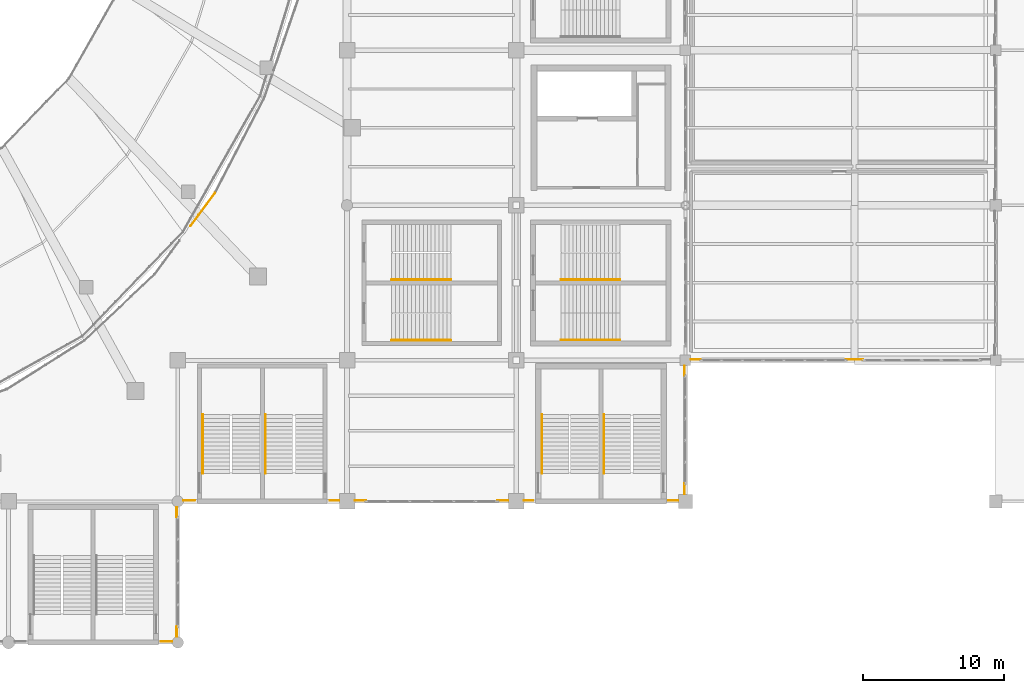
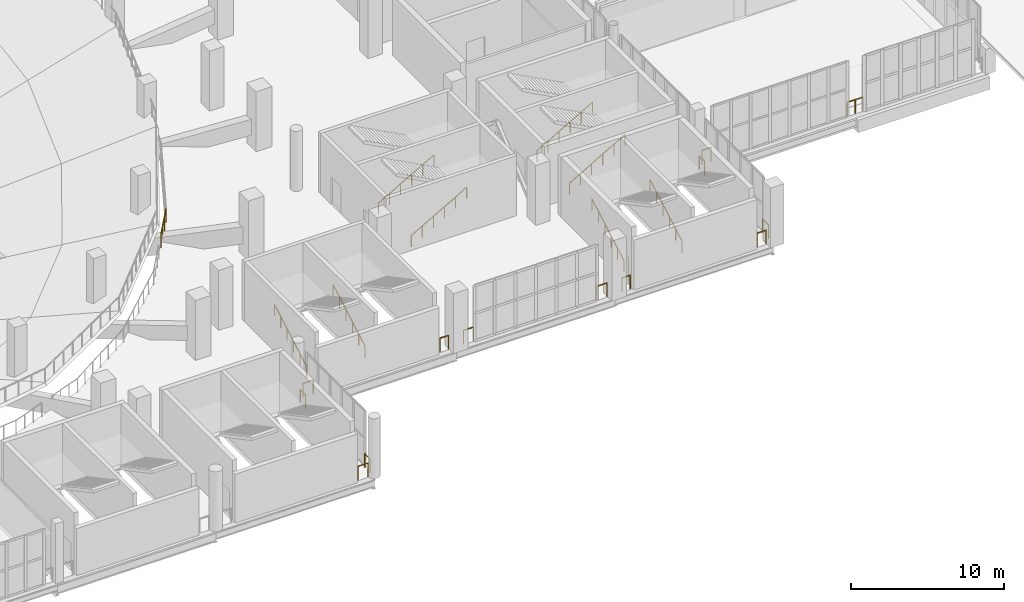
# One storey, part 131 of 136: 22 railings.
"""IFC4 building model written with IfcOpenShell, lengths in metres."""

from ifc_helpers import new_model, si_unit, direction, frame, origin, origin_2d, place, context, subcontext, project, spatial, circle, extrude, material, type_object, element, save


model = new_model("IFC4")

# Units and contexts
model_context = context("Model", 3, precision=1e-05, world=origin(), true_north=direction((0.0, 1.0)))
body_context = subcontext(model_context, "Body", "Model", "MODEL_VIEW")
ifc_project = project(units=[si_unit("LENGTHUNIT", "METRE"), si_unit("AREAUNIT", "SQUARE_METRE"), si_unit("VOLUMEUNIT", "CUBIC_METRE"), si_unit("PLANEANGLEUNIT", "RADIAN"), si_unit("MASSUNIT", "GRAM", prefix="KILO")], contexts=[model_context])

# Site, building, storey
site_placement = place(None, origin())
site = spatial("IfcSite", under=ifc_project, at=site_placement, CompositionType="ELEMENT")
building_placement = place(site_placement, origin())
building = spatial("IfcBuilding", under=site, at=building_placement, Name="Brinegate Civic Arena", CompositionType="ELEMENT")
storey_placement = place(building_placement, frame((0.0, 0.0, 5.39990234375)))
storey = spatial("IfcBuildingStorey", under=building, at=storey_placement, Name="L01", CompositionType="ELEMENT", Elevation=5.39990234375)

# Railings
ifc_material = material(Name="Architectural stainless steel balustrade", Category="steel")
railing_type_1 = type_object("IfcRailingType", Name="RAIL-STAIR-HANDRAIL-900", PredefinedType="HANDRAIL", material=ifc_material)
for number, where, name in (
    (1, (157.824951171875, 11.969970703125, 0.0), "Stair Pitch Handrail ST-06A L01"),
    (2, (162.22509765625, 11.969970703125, 0.0), "Stair Pitch Handrail ST-06B L01"),
    (3, (133.77490234375, 11.969970703125, 0.0), "Stair Pitch Handrail ST-14A L01"),
    (4, (138.22509765625, 11.969970703125, 0.0), "Stair Pitch Handrail ST-14B L01"),
):
    element("IfcRailing", number, at=place(storey_placement, frame(where)), inside=storey, type_object=railing_type_1, Name=name, PredefinedType="HANDRAIL", context=body_context, shape_type="SweptSolid", body=[
        extrude(circle(Radius=0.02392578125, at=origin_2d()), frame((0.0, 0.001220703125, 0.876708984375), z_axis=(0.0, 0.868227612608, 0.496166114024), x_axis=(-1.0, 0.0, 0.0)), (0.0, 0.0, 1.0), 4.83447265625),
        extrude(circle(Radius=0.02099609375, at=origin_2d()), origin(), (0.0, 0.0, 1.0), 0.849853515625),
        extrude(circle(Radius=0.02099609375, at=origin_2d()), frame((0.0, 0.840087890625, 0.47998046875)), (0.0, 0.0, 1.0), 0.849853515625),
        extrude(circle(Radius=0.02099609375, at=origin_2d()), frame((0.0, 1.679931640625, 0.9599609375)), (0.0, 0.0, 1.0), 0.849853515625),
        extrude(circle(Radius=0.02099609375, at=origin_2d()), frame((0.0, 2.52001953125, 1.440185546875)), (0.0, 0.0, 1.0), 0.849853515625),
        extrude(circle(Radius=0.02099609375, at=origin_2d()), frame((0.0, 3.35986328125, 1.920166015625)), (0.0, 0.0, 1.0), 0.849853515625),
        extrude(circle(Radius=0.02099609375, at=origin_2d()), frame((0.0, 4.199951171875, 2.400146484375)), (0.0, 0.0, 1.0), 0.849853515625),
    ])
for number, where, name in (
    (5, (147.169921875, 21.425048828125, 0.0), "Stair Pitch Handrail ST-17A L01"),
    (6, (147.169921875, 25.72509765625, 0.0), "Stair Pitch Handrail ST-17B L01"),
    (7, (159.169921875, 21.455078125, 0.0), "Stair Pitch Handrail ST-19A L01"),
    (8, (159.169921875, 25.72509765625, 0.0), "Stair Pitch Handrail ST-19B L01"),
):
    element("IfcRailing", number, at=place(storey_placement, frame(where)), inside=storey, type_object=railing_type_1, Name=name, PredefinedType="HANDRAIL", context=body_context, shape_type="SweptSolid", body=[
        extrude(circle(Radius=0.02392578125, at=origin_2d()), frame((0.001220703125, 0.0, 0.876708984375), z_axis=(0.868240036425, 0.0, 0.496144373291), x_axis=(0.0, 1.0, 0.0)), (0.0, 0.0, 1.0), 4.834716796875),
        extrude(circle(Radius=0.02099609375, at=origin_2d()), origin(), (0.0, 0.0, 1.0), 0.849853515625),
        extrude(circle(Radius=0.02099609375, at=origin_2d()), frame((0.840087890625, 0.0, 0.47998046875)), (0.0, 0.0, 1.0), 0.849853515625),
        extrude(circle(Radius=0.02099609375, at=origin_2d()), frame((1.68017578125, 0.0, 0.9599609375)), (0.0, 0.0, 1.0), 0.849853515625),
        extrude(circle(Radius=0.02099609375, at=origin_2d()), frame((2.52001953125, 0.0, 1.440185546875)), (0.0, 0.0, 1.0), 0.849853515625),
        extrude(circle(Radius=0.02099609375, at=origin_2d()), frame((3.360107421875, 0.0, 1.920166015625)), (0.0, 0.0, 1.0), 0.849853515625),
        extrude(circle(Radius=0.02099609375, at=origin_2d()), frame((4.2001953125, 0.0, 2.400146484375)), (0.0, 0.0, 1.0), 0.849853515625),
    ])
railing_type_2 = type_object("IfcRailingType", Name="RAIL-VOID-BALUSTRADE-1120", PredefinedType="BALUSTRADE", material=ifc_material)
railing_1_placement = place(storey_placement, frame((180.60009765625, 20.070068359375, 0.0)))
element("IfcRailing", 9, at=railing_1_placement, inside=storey, type_object=railing_type_2, Name="Deck Edge Balustrade L01-058", PredefinedType="BALUSTRADE", context=body_context, shape_type="SweptSolid", body=[
    extrude(circle(Radius=0.02392578125, at=origin_2d()), frame((-0.00146484375, 0.0, 1.09619140625), z_axis=(-1.0, 0.0, 0.0), x_axis=(0.0, -1.0, 0.0)), (0.0, 0.0, 1.0), 1.197265625),
    extrude(circle(Radius=0.02099609375, at=origin_2d()), origin(), (0.0, 0.0, 1.0), 1.070068359375),
    extrude(circle(Radius=0.02099609375, at=origin_2d()), frame((-0.60009765625, 0.0, 0.0)), (0.0, 0.0, 1.0), 1.070068359375),
    extrude(circle(Radius=0.02099609375, at=origin_2d()), frame((-1.2001953125, 0.0, 0.0)), (0.0, 0.0, 1.0), 1.070068359375),
])
railing_2_placement = place(storey_placement, frame((169.080078125, 20.070068359375, 0.0)))
element("IfcRailing", 10, at=railing_2_placement, inside=storey, type_object=railing_type_2, Name="Deck Edge Balustrade L01-059", PredefinedType="BALUSTRADE", context=body_context, shape_type="SweptSolid", body=[
    extrude(circle(Radius=0.02392578125, at=origin_2d()), frame((-0.00146484375, 0.0, 1.09619140625), z_axis=(-1.0, 0.0, 0.0), x_axis=(0.0, -1.0, 0.0)), (0.0, 0.0, 1.0), 0.68212890625),
    extrude(circle(Radius=0.02099609375, at=origin_2d()), origin(), (0.0, 0.0, 1.0), 1.070068359375),
    extrude(circle(Radius=0.02099609375, at=origin_2d()), frame((-0.68505859375, 0.0, 0.0)), (0.0, 0.0, 1.0), 1.070068359375),
])
railing_3_placement = place(storey_placement, frame((167.929931640625, 19.60498046875, 0.0)))
element("IfcRailing", 11, at=railing_3_placement, inside=storey, type_object=railing_type_2, Name="Deck Edge Balustrade L01-060", PredefinedType="BALUSTRADE", context=body_context, shape_type="SweptSolid", body=[
    extrude(circle(Radius=0.02392578125, at=origin_2d()), frame((0.0, -0.00146484375, 1.09619140625), z_axis=(0.0, -1.0, 0.0), x_axis=(1.0, 0.0, 0.0)), (0.0, 0.0, 1.0), 0.68212890625),
    extrude(circle(Radius=0.02099609375, at=origin_2d()), origin(), (0.0, 0.0, 1.0), 1.070068359375),
    extrude(circle(Radius=0.02099609375, at=origin_2d()), frame((0.0, -0.68505859375, 0.0)), (0.0, 0.0, 1.0), 1.070068359375),
])
railing_4_placement = place(storey_placement, frame((167.929931640625, 11.257080078125, 0.0)))
element("IfcRailing", 12, at=railing_4_placement, inside=storey, type_object=railing_type_2, Name="Deck Edge Balustrade L01-061", PredefinedType="BALUSTRADE", context=body_context, shape_type="SweptSolid", body=[
    extrude(circle(Radius=0.02392578125, at=origin_2d()), frame((0.0, -0.00146484375, 1.09619140625), z_axis=(0.0, -1.0, 0.0), x_axis=(1.0, 0.0, 0.0)), (0.0, 0.0, 1.0), 0.734130859375),
    extrude(circle(Radius=0.02099609375, at=origin_2d()), origin(), (0.0, 0.0, 1.0), 1.070068359375),
    extrude(circle(Radius=0.02099609375, at=origin_2d()), frame((0.0, -0.737060546875, 0.0)), (0.0, 0.0, 1.0), 1.070068359375),
])
railing_5_placement = place(storey_placement, frame((167.47998046875, 10.070068359375, 0.0)))
element("IfcRailing", 13, at=railing_5_placement, inside=storey, type_object=railing_type_2, Name="Deck Edge Balustrade L01-062", PredefinedType="BALUSTRADE", context=body_context, shape_type="SweptSolid", body=[
    extrude(circle(Radius=0.02392578125, at=origin_2d()), frame((-0.00146484375, 0.0, 1.09619140625), z_axis=(-1.0, 0.0, 0.0), x_axis=(0.0, -1.0, 0.0)), (0.0, 0.0, 1.0), 0.677001953125),
    extrude(circle(Radius=0.02099609375, at=origin_2d()), origin(), (0.0, 0.0, 1.0), 1.070068359375),
    extrude(circle(Radius=0.02099609375, at=origin_2d()), frame((-0.679931640625, 0.0, 0.0)), (0.0, 0.0, 1.0), 1.070068359375),
])
railing_6_placement = place(storey_placement, frame((157.199951171875, 10.070068359375, 0.0)))
element("IfcRailing", 14, at=railing_6_placement, inside=storey, type_object=railing_type_2, Name="Deck Edge Balustrade L01-063", PredefinedType="BALUSTRADE", context=body_context, shape_type="SweptSolid", body=[
    extrude(circle(Radius=0.02392578125, at=origin_2d()), frame((-0.00146484375, 0.0, 1.09619140625), z_axis=(-1.0, 0.0, 0.0), x_axis=(0.0, -1.0, 0.0)), (0.0, 0.0, 1.0), 0.626953125),
    extrude(circle(Radius=0.02099609375, at=origin_2d()), origin(), (0.0, 0.0, 1.0), 1.070068359375),
    extrude(circle(Radius=0.02099609375, at=origin_2d()), frame((-0.6298828125, 0.0, 0.0)), (0.0, 0.0, 1.0), 1.070068359375),
])
for number, where, name in (
    (15, (155.429931640625, 10.070068359375, 0.0), "Deck Edge Balustrade L01-064"),
    (16, (145.327880859375, 10.070068359375, 0.0), "Deck Edge Balustrade L01-065"),
):
    element("IfcRailing", number, at=place(storey_placement, frame(where)), inside=storey, type_object=railing_type_2, Name=name, PredefinedType="BALUSTRADE", context=body_context, shape_type="SweptSolid", body=[
        extrude(circle(Radius=0.02392578125, at=origin_2d()), frame((-0.00146484375, 0.0, 1.09619140625), z_axis=(-1.0, 0.0, 0.0), x_axis=(0.0, -1.0, 0.0)), (0.0, 0.0, 1.0), 0.7548828125),
        extrude(circle(Radius=0.02099609375, at=origin_2d()), origin(), (0.0, 0.0, 1.0), 1.070068359375),
        extrude(circle(Radius=0.02099609375, at=origin_2d()), frame((-0.7578125, 0.0, 0.0)), (0.0, 0.0, 1.0), 1.070068359375),
    ])
railing_7_placement = place(storey_placement, frame((143.429931640625, 10.070068359375, 0.0)))
element("IfcRailing", 17, at=railing_7_placement, inside=storey, type_object=railing_type_2, Name="Deck Edge Balustrade L01-066", PredefinedType="BALUSTRADE", context=body_context, shape_type="SweptSolid", body=[
    extrude(circle(Radius=0.02392578125, at=origin_2d()), frame((-0.00146484375, 0.0, 1.09619140625), z_axis=(-1.0, 0.0, 0.0), x_axis=(0.0, -1.0, 0.0)), (0.0, 0.0, 1.0), 0.626953125),
    extrude(circle(Radius=0.02099609375, at=origin_2d()), origin(), (0.0, 0.0, 1.0), 1.070068359375),
    extrude(circle(Radius=0.02099609375, at=origin_2d()), frame((-0.6298828125, 0.0, 0.0)), (0.0, 0.0, 1.0), 1.070068359375),
])
railing_8_placement = place(storey_placement, frame((133.199951171875, 10.070068359375, 0.0)))
element("IfcRailing", 18, at=railing_8_placement, inside=storey, type_object=railing_type_2, Name="Deck Edge Balustrade L01-067", PredefinedType="BALUSTRADE", context=body_context, shape_type="SweptSolid", body=[
    extrude(circle(Radius=0.02392578125, at=origin_2d()), frame((-0.00146484375, 0.0, 1.09619140625), z_axis=(-1.0, 0.0, 0.0), x_axis=(0.0, -1.0, 0.0)), (0.0, 0.0, 1.0), 0.777099609375),
    extrude(circle(Radius=0.02099609375, at=origin_2d()), origin(), (0.0, 0.0, 1.0), 1.070068359375),
    extrude(circle(Radius=0.02099609375, at=origin_2d()), frame((-0.780029296875, 0.0, 0.0)), (0.0, 0.0, 1.0), 1.070068359375),
])
for number, where, name in (
    (19, (131.929931640625, 9.580078125, 0.0), "Deck Edge Balustrade L01-068"),
    (20, (131.929931640625, 1.115966796875, 0.0), "Deck Edge Balustrade L01-069"),
):
    element("IfcRailing", number, at=place(storey_placement, frame(where)), inside=storey, type_object=railing_type_2, Name=name, PredefinedType="BALUSTRADE", context=body_context, shape_type="SweptSolid", body=[
        extrude(circle(Radius=0.02392578125, at=origin_2d()), frame((0.0, -0.00146484375, 1.09619140625), z_axis=(0.0, -1.0, 0.0), x_axis=(1.0, 0.0, 0.0)), (0.0, 0.0, 1.0), 0.693115234375),
        extrude(circle(Radius=0.02099609375, at=origin_2d()), origin(), (0.0, 0.0, 1.0), 1.070068359375),
        extrude(circle(Radius=0.02099609375, at=origin_2d()), frame((0.0, -0.696044921875, 0.0)), (0.0, 0.0, 1.0), 1.070068359375),
    ])
railing_9_placement = place(storey_placement, frame((131.580078125, 0.070068359375, 0.0)))
element("IfcRailing", 21, at=railing_9_placement, inside=storey, type_object=railing_type_2, Name="Deck Edge Balustrade L01-070", PredefinedType="BALUSTRADE", context=body_context, shape_type="SweptSolid", body=[
    extrude(circle(Radius=0.02392578125, at=origin_2d()), frame((-0.00146484375, 0.0, 1.09619140625), z_axis=(-1.0, 0.0, 0.0), x_axis=(0.0, -1.0, 0.0)), (0.0, 0.0, 1.0), 0.777099609375),
    extrude(circle(Radius=0.02099609375, at=origin_2d()), origin(), (0.0, 0.0, 1.0), 1.070068359375),
    extrude(circle(Radius=0.02099609375, at=origin_2d()), frame((-0.780029296875, 0.0, 0.0)), (0.0, 0.0, 1.0), 1.070068359375),
])
railing_10_placement = place(storey_placement, frame((132.906982421875, 29.5400390625, 0.0)))
element("IfcRailing", 22, at=railing_10_placement, inside=storey, type_object=railing_type_2, Name="Deck Edge Balustrade L01-108", PredefinedType="BALUSTRADE", context=body_context, shape_type="SweptSolid", body=[
    extrude(circle(Radius=0.02392578125, at=origin_2d()), frame((0.0009765625, 0.001220703125, 1.09619140625), z_axis=(0.595368116229, 0.803453051633, 0.0), x_axis=(-0.803453051633, 0.595368116229, 0.0)), (0.0, 0.0, 1.0), 2.904296875),
    extrude(circle(Radius=0.02099609375, at=origin_2d()), origin(), (0.0, 0.0, 1.0), 1.070068359375),
    extrude(circle(Radius=0.02099609375, at=origin_2d()), frame((0.576904296875, 0.778564453125, 0.0)), (0.0, 0.0, 1.0), 1.070068359375),
    extrude(circle(Radius=0.02099609375, at=origin_2d()), frame((1.154052734375, 1.557373046875, 0.0)), (0.0, 0.0, 1.0), 1.070068359375),
    extrude(circle(Radius=0.02099609375, at=origin_2d()), frame((1.73095703125, 2.3359375, 0.0)), (0.0, 0.0, 1.0), 1.070068359375),
])

save(model, "model.ifc")
